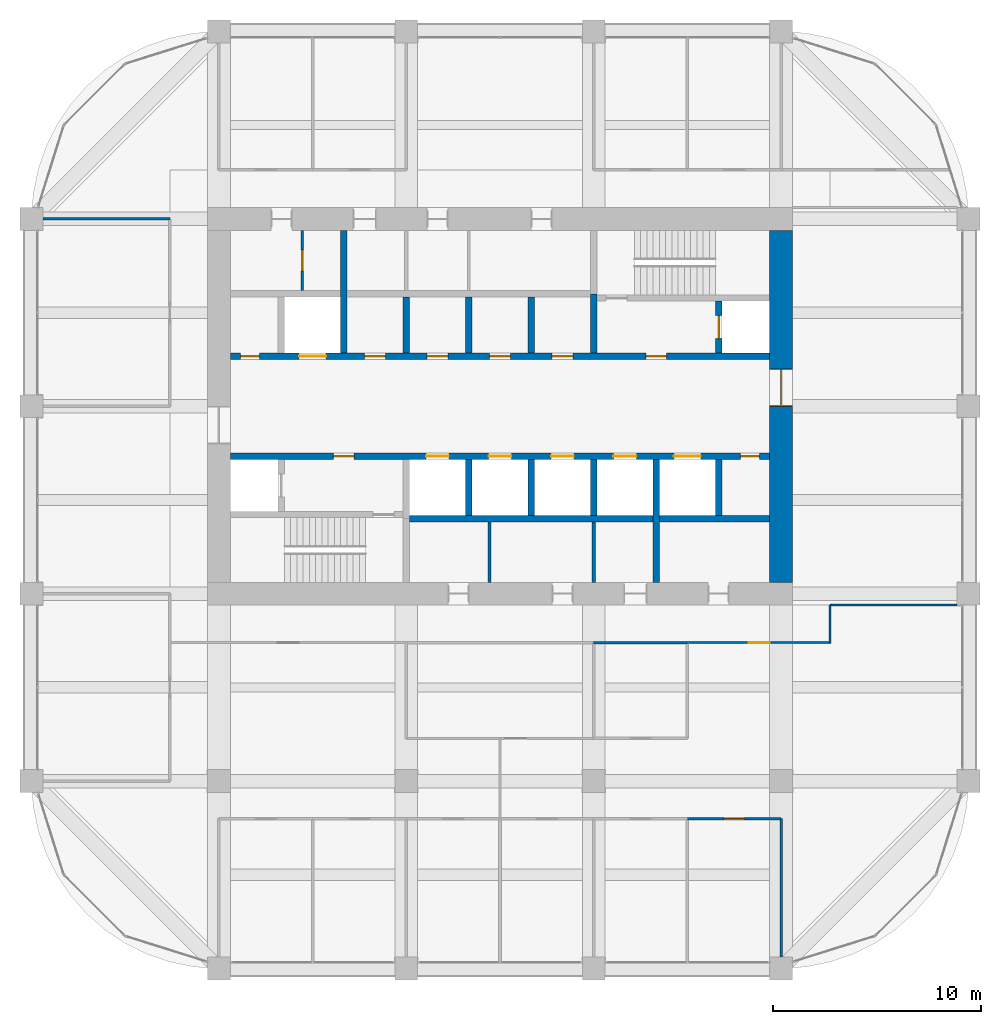
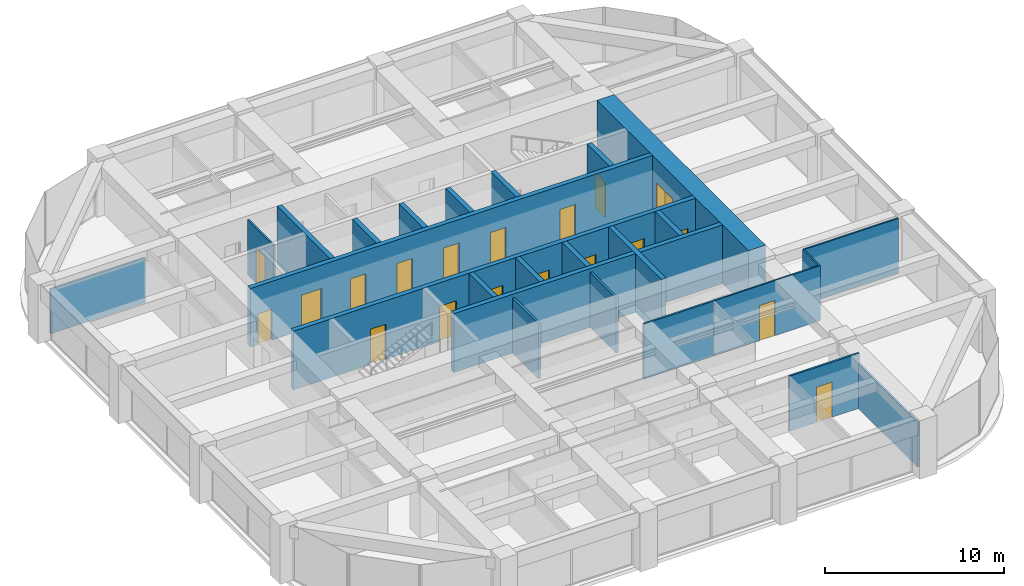
# One storey, part 42 of 44: 25 walls, 19 doors, 19 openings.
"""IFC4 building model written with IfcOpenShell, lengths in metres."""

from ifc_helpers import new_model, si_unit, direction, frame, frame_2d, origin, place, context, subcontext, project, spatial, rectangle, extrude, material, layer, layer_set, type_object, element, fill, save


model = new_model("IFC4")

# Units and contexts
model_context = context("Model", 3, precision=1e-05, world=origin(), true_north=direction((0.0, 1.0)))
body_context = subcontext(model_context, "Body", "Model", "MODEL_VIEW")
ifc_project = project(units=[si_unit("LENGTHUNIT", "METRE"), si_unit("AREAUNIT", "SQUARE_METRE"), si_unit("VOLUMEUNIT", "CUBIC_METRE"), si_unit("PLANEANGLEUNIT", "RADIAN"), si_unit("MASSUNIT", "GRAM", prefix="KILO")], contexts=[model_context])

# Site, building, storey
site_placement = place(None, origin())
site = spatial("IfcSite", under=ifc_project, at=site_placement, CompositionType="ELEMENT")
building_placement = place(site_placement, origin())
building = spatial("IfcBuilding", under=site, at=building_placement, Name="Zorevar Civic Tower", CompositionType="ELEMENT")
storey_placement = place(building_placement, frame((0.0, 0.0, 283.39990234375)))
storey = spatial("IfcBuildingStorey", under=building, at=storey_placement, Name="L69", CompositionType="ELEMENT", Elevation=283.39990234375)

# Wall, opening, door
ifc_material_1 = material(Name="Concrete C50/60", Category="concrete")
ifc_layer_1 = layer(ifc_material_1, 1.10009765625)
ifc_layer_set_1 = layer_set([ifc_layer_1], Name="Core wall 1100")
wall_type_1 = type_object("IfcWallType", Name="Core wall 1100", PredefinedType="SHEAR", material=ifc_layer_set_1)
wall_1_placement = place(storey_placement, frame((45.0, 18.550048828125, 0.0), z_axis=(0.0, 0.0, 1.0), x_axis=(0.0, 1.0, 0.0)))
wall_1 = element("IfcWall", 1, at=wall_1_placement, inside=storey, type_object=wall_type_1, Name="Core wall E L69", PredefinedType="SHEAR", context=body_context, shape_type="SweptSolid", body=[
    extrude(rectangle(XDim=16.89990234375, YDim=1.10009765625, at=frame_2d((8.449951171875, 0.0))), origin(), (0.0, 0.0, 1.0), 4.0),
])
opening_1_placement = place(wall_1_placement, frame((8.449951171875, 0.0, 0.0)))
opening_1 = element("IfcOpeningElement", 2, at=opening_1_placement, cuts=wall_1, Name="Opening L69.02", PredefinedType="OPENING", context=body_context, shape_type="SweptSolid", body=[
    extrude(rectangle(XDim=1.800048828125, YDim=2.39990234375, at=frame_2d((0.89990234375, 1.199951171875))), frame((0.0, 0.56005859375, 0.0), z_axis=(0.0, -1.0, 0.0), x_axis=(1.0, 0.0, 0.0)), (0.0, 0.0, 1.0), 1.1201171875),
])
ifc_material_2 = material(Name="Steel door set", Category="steel")
door_type_1 = type_object("IfcDoorType", Name="Fire door FD2 1800x2400", OperationType="DOUBLE_DOOR_DOUBLE_SWING", PredefinedType="DOOR", material=ifc_material_2)
door_1_placement = place(opening_1_placement, origin())
door_1 = element("IfcDoor", 3, at=door_1_placement, inside=storey, type_object=door_type_1, Name="Door L69 01", OperationType="DOUBLE_DOOR_DOUBLE_SWING", OverallHeight=2.39990234375, OverallWidth=1.800048828125, PredefinedType="DOOR", context=body_context, shape_type="SweptSolid", body=[
    extrude(rectangle(XDim=1.800048828125, YDim=2.39990234375, at=frame_2d((0.89990234375, 1.199951171875))), frame((0.0, 0.030029296875, 0.0), z_axis=(0.0, -1.0, 0.0), x_axis=(1.0, 0.0, 0.0)), (0.0, 0.0, 1.0), 0.06005859375),
    extrude(rectangle(XDim=0.04, YDim=2.39990234375, at=frame_2d((0.02001953125, 1.199951171875))), frame((0.0, 0.5498046875, 0.0), z_axis=(0.0, -1.0, 0.0), x_axis=(1.0, 0.0, 0.0)), (0.0, 0.0, 1.0), 1.099609375),
    extrude(rectangle(XDim=0.04, YDim=2.39990234375, at=frame_2d((1.780029296875, 1.199951171875))), frame((0.0, 0.5498046875, 0.0), z_axis=(0.0, -1.0, 0.0), x_axis=(1.0, 0.0, 0.0)), (0.0, 0.0, 1.0), 1.099609375),
    extrude(rectangle(XDim=1.800048828125, YDim=0.04, at=frame_2d((0.89990234375, 2.3798828125))), frame((0.0, 0.5498046875, 0.0), z_axis=(0.0, -1.0, 0.0), x_axis=(1.0, 0.0, 0.0)), (0.0, 0.0, 1.0), 1.099609375),
])
fill(opening_1, door_1)

ifc_material_3 = material(Name="Laminated glass in black aluminium frame", Category="aluminium")
ifc_layer_2 = layer(ifc_material_3, 0.10009765625)
ifc_layer_set_2 = layer_set([ifc_layer_2], Name="Glazed partition 100")
wall_type_2 = type_object("IfcWallType", Name="Glazed partition 100", PredefinedType="PARTITIONING", material=ifc_layer_set_2)
wall_2_placement = place(storey_placement, frame((40.510009765625, 15.64990234375, 0.0), z_axis=(0.0, 0.0, 1.0), x_axis=(1.0, 0.0, 0.0)))
wall_2 = element("IfcWall", 4, at=wall_2_placement, inside=storey, type_object=wall_type_2, Name="Glazed partition 100 L69", PredefinedType="PARTITIONING", context=body_context, shape_type="SweptSolid", body=[
    extrude(rectangle(XDim=6.889892578125, YDim=0.10009765625, at=frame_2d((3.44482421875, 0.0))), origin(), (0.0, 0.0, 1.0), 3.75),
])
opening_2_placement = place(wall_2_placement, frame((2.945068359375, 0.0, 0.0)))
opening_2 = element("IfcOpeningElement", 5, at=opening_2_placement, cuts=wall_2, Name="Opening L69.25", PredefinedType="OPENING", context=body_context, shape_type="SweptSolid", body=[
    extrude(rectangle(XDim=1.0, YDim=2.39990234375, at=frame_2d((0.5, 1.199951171875))), frame((0.0, 0.06005859375, 0.0), z_axis=(0.0, -1.0, 0.0), x_axis=(1.0, 0.0, 0.0)), (0.0, 0.0, 1.0), 0.1201171875),
])
ifc_material_4 = material(Name="Timber door set", Category="wood")
door_type_2 = type_object("IfcDoorType", Name="Glazed door GD1 1000x2400", OperationType="SINGLE_SWING_LEFT", PredefinedType="DOOR", material=ifc_material_4)
door_2_placement = place(opening_2_placement, origin())
door_2 = element("IfcDoor", 6, at=door_2_placement, inside=storey, type_object=door_type_2, Name="Door L69 D1", OperationType="SINGLE_SWING_LEFT", OverallHeight=2.39990234375, OverallWidth=1.0, PredefinedType="DOOR", context=body_context, shape_type="SweptSolid", body=[
    extrude(rectangle(XDim=1.0, YDim=2.39990234375, at=frame_2d((0.5, 1.199951171875))), frame((0.0, 0.02001953125, 0.0), z_axis=(0.0, -1.0, 0.0), x_axis=(1.0, 0.0, 0.0)), (0.0, 0.0, 1.0), 0.0400390625),
])
fill(opening_2, door_2)

# Walls
wall_3_placement = place(storey_placement, frame((47.35009765625, 17.449951171875, 0.0), z_axis=(0.0, 0.0, 1.0), x_axis=(1.0, 0.0, 0.0)))
element("IfcWall", 7, at=wall_3_placement, inside=storey, type_object=wall_type_2, Name="Glazed partition 100 L69", PredefinedType="PARTITIONING", context=body_context, shape_type="SweptSolid", body=[
    extrude(rectangle(XDim=6.099853515625, YDim=0.10009765625, at=frame_2d((3.0498046875, 0.0))), origin(), (0.0, 0.0, 1.0), 3.75),
])
wall_4_placement = place(storey_placement, frame((47.35009765625, 15.60009765625, 0.0), z_axis=(0.0, 0.0, 1.0), x_axis=(0.0, 1.0, 0.0)))
element("IfcWall", 8, at=wall_4_placement, inside=storey, type_object=wall_type_2, Name="Glazed partition 100 L69", PredefinedType="PARTITIONING", context=body_context, shape_type="SweptSolid", body=[
    extrude(rectangle(XDim=1.849853515625, YDim=0.10009765625, at=frame_2d((0.9248046875, 0.0))), origin(), (0.0, 0.0, 1.0), 3.75),
])

# Wall, opening, door
ifc_material_5 = material(Name="Concrete C40/50", Category="concrete")
ifc_layer_3 = layer(ifc_material_5, 0.300048828125)
ifc_layer_set_3 = layer_set([ifc_layer_3], Name="Inner core wall 300")
wall_type_3 = type_object("IfcWallType", Name="Inner core wall 300", PredefinedType="SHEAR", material=ifc_layer_set_3)
wall_5_placement = place(storey_placement, frame((42.0, 29.550048828125, 0.0), z_axis=(0.0, 0.0, 1.0), x_axis=(0.0, 1.0, 0.0)))
wall_5 = element("IfcWall", 9, at=wall_5_placement, inside=storey, type_object=wall_type_3, Name="Inner core wall N02 L69", PredefinedType="SHEAR", context=body_context, shape_type="SweptSolid", body=[
    extrude(rectangle(XDim=2.5, YDim=0.300048828125, at=frame_2d((1.25, 0.0))), origin(), (0.0, 0.0, 1.0), 4.0),
])
opening_3_placement = place(wall_5_placement, frame((0.699951171875, 0.0, 0.0)))
opening_3 = element("IfcOpeningElement", 10, at=opening_3_placement, cuts=wall_5, Name="Opening L69.FL2", PredefinedType="OPENING", context=body_context, shape_type="SweptSolid", body=[
    extrude(rectangle(XDim=1.10009765625, YDim=2.39990234375, at=frame_2d((0.550048828125, 1.199951171875))), frame((0.0, 0.159912109375, 0.0), z_axis=(0.0, -1.0, 0.0), x_axis=(1.0, 0.0, 0.0)), (0.0, 0.0, 1.0), 0.320068359375),
])
ifc_material_6 = material(Name="Steel door set", Category="steel")
door_type_3 = type_object("IfcDoorType", Name="Firefighting lift landing door LD3 1100x2400", OperationType="DOUBLE_DOOR_SLIDING", PredefinedType="DOOR", material=ifc_material_6)
door_3_placement = place(opening_3_placement, origin())
door_3 = element("IfcDoor", 11, at=door_3_placement, inside=storey, type_object=door_type_3, Name="Landing door FL2 L69", OperationType="DOUBLE_DOOR_SLIDING", OverallHeight=2.39990234375, OverallWidth=1.10009765625, PredefinedType="DOOR", context=body_context, shape_type="SweptSolid", body=[
    extrude(rectangle(XDim=1.10009765625, YDim=2.39990234375, at=frame_2d((0.550048828125, 1.199951171875))), frame((0.0, 0.030029296875, 0.0), z_axis=(0.0, -1.0, 0.0), x_axis=(1.0, 0.0, 0.0)), (0.0, 0.0, 1.0), 0.06005859375),
])
fill(opening_3, door_3)

# Wall, openings, doors
wall_6_placement = place(storey_placement, frame((18.550048828125, 24.60009765625, 0.0), z_axis=(0.0, 0.0, 1.0), x_axis=(1.0, 0.0, 0.0)))
wall_6 = element("IfcWall", 12, at=wall_6_placement, inside=storey, type_object=wall_type_3, Name="Inner core wall S03 L69", PredefinedType="SHEAR", context=body_context, shape_type="SweptSolid", body=[
    extrude(rectangle(XDim=25.89990234375, YDim=0.300048828125, at=frame_2d((12.949951171875, 0.0))), origin(), (0.0, 0.0, 1.0), 4.0),
])
opening_4_placement = place(wall_6_placement, frame((4.949951171875, 0.0, 0.0)))
opening_4 = element("IfcOpeningElement", 13, at=opening_4_placement, cuts=wall_6, Name="Opening L69.13", PredefinedType="OPENING", context=body_context, shape_type="SweptSolid", body=[
    extrude(rectangle(XDim=1.0, YDim=2.39990234375, at=frame_2d((0.5, 1.199951171875))), frame((0.0, 0.159912109375, 0.0), z_axis=(0.0, -1.0, 0.0), x_axis=(1.0, 0.0, 0.0)), (0.0, 0.0, 1.0), 0.320068359375),
])
opening_5_placement = place(wall_6_placement, frame((24.5, 0.0, 0.0)))
opening_5 = element("IfcOpeningElement", 14, at=opening_5_placement, cuts=wall_6, Name="Opening L69.15", PredefinedType="OPENING", context=body_context, shape_type="SweptSolid", body=[
    extrude(rectangle(XDim=0.89990234375, YDim=2.10009765625, at=frame_2d((0.449951171875, 1.050048828125))), frame((0.0, 0.159912109375, 0.0), z_axis=(0.0, -1.0, 0.0), x_axis=(1.0, 0.0, 0.0)), (0.0, 0.0, 1.0), 0.320068359375),
])
opening_6_placement = place(wall_6_placement, frame((9.39990234375, 0.0, 0.0)))
opening_6 = element("IfcOpeningElement", 15, at=opening_6_placement, cuts=wall_6, Name="Opening L69.LT1", PredefinedType="OPENING", context=body_context, shape_type="SweptSolid", body=[
    extrude(rectangle(XDim=1.10009765625, YDim=2.39990234375, at=frame_2d((0.550048828125, 1.199951171875))), frame((0.0, 0.159912109375, 0.0), z_axis=(0.0, -1.0, 0.0), x_axis=(1.0, 0.0, 0.0)), (0.0, 0.0, 1.0), 0.320068359375),
])
opening_7_placement = place(wall_6_placement, frame((12.39990234375, 0.0, 0.0)))
opening_7 = element("IfcOpeningElement", 16, at=opening_7_placement, cuts=wall_6, Name="Opening L69.LT2", PredefinedType="OPENING", context=body_context, shape_type="SweptSolid", body=[
    extrude(rectangle(XDim=1.10009765625, YDim=2.39990234375, at=frame_2d((0.550048828125, 1.199951171875))), frame((0.0, 0.159912109375, 0.0), z_axis=(0.0, -1.0, 0.0), x_axis=(1.0, 0.0, 0.0)), (0.0, 0.0, 1.0), 0.320068359375),
])
opening_8_placement = place(wall_6_placement, frame((15.39990234375, 0.0, 0.0)))
opening_8 = element("IfcOpeningElement", 17, at=opening_8_placement, cuts=wall_6, Name="Opening L69.LT3", PredefinedType="OPENING", context=body_context, shape_type="SweptSolid", body=[
    extrude(rectangle(XDim=1.10009765625, YDim=2.39990234375, at=frame_2d((0.550048828125, 1.199951171875))), frame((0.0, 0.159912109375, 0.0), z_axis=(0.0, -1.0, 0.0), x_axis=(1.0, 0.0, 0.0)), (0.0, 0.0, 1.0), 0.320068359375),
])
opening_9_placement = place(wall_6_placement, frame((18.39990234375, 0.0, 0.0)))
opening_9 = element("IfcOpeningElement", 18, at=opening_9_placement, cuts=wall_6, Name="Opening L69.LT4", PredefinedType="OPENING", context=body_context, shape_type="SweptSolid", body=[
    extrude(rectangle(XDim=1.10009765625, YDim=2.39990234375, at=frame_2d((0.550048828125, 1.199951171875))), frame((0.0, 0.159912109375, 0.0), z_axis=(0.0, -1.0, 0.0), x_axis=(1.0, 0.0, 0.0)), (0.0, 0.0, 1.0), 0.320068359375),
])
opening_10_placement = place(wall_6_placement, frame((21.300048828125, 0.0, 0.0)))
opening_10 = element("IfcOpeningElement", 19, at=opening_10_placement, cuts=wall_6, Name="Opening L69.SL1", PredefinedType="OPENING", context=body_context, shape_type="SweptSolid", body=[
    extrude(rectangle(XDim=1.300048828125, YDim=2.39990234375, at=frame_2d((0.64990234375, 1.199951171875))), frame((0.0, 0.159912109375, 0.0), z_axis=(0.0, -1.0, 0.0), x_axis=(1.0, 0.0, 0.0)), (0.0, 0.0, 1.0), 0.320068359375),
])
ifc_material_7 = material(Name="Steel door set", Category="steel")
door_type_4 = type_object("IfcDoorType", Name="Fire door FD1 1000x2400", OperationType="SINGLE_SWING_LEFT", PredefinedType="DOOR", material=ifc_material_7)
door_4_placement = place(opening_4_placement, origin())
door_4 = element("IfcDoor", 20, at=door_4_placement, inside=storey, type_object=door_type_4, Name="Door L69 12", OperationType="SINGLE_SWING_RIGHT", OverallHeight=2.39990234375, OverallWidth=1.0, PredefinedType="DOOR", context=body_context, shape_type="SweptSolid", body=[
    extrude(rectangle(XDim=1.0, YDim=2.39990234375, at=frame_2d((0.5, 1.199951171875))), frame((0.0, 0.030029296875, 0.0), z_axis=(0.0, -1.0, 0.0), x_axis=(1.0, 0.0, 0.0)), (0.0, 0.0, 1.0), 0.06005859375),
])
fill(opening_4, door_4)
ifc_material_8 = material(Name="Steel door set", Category="steel")
door_type_5 = type_object("IfcDoorType", Name="Landing door LD1 1100x2400", OperationType="DOUBLE_DOOR_SLIDING", PredefinedType="DOOR", material=ifc_material_8)
door_5_placement = place(opening_6_placement, origin())
door_5 = element("IfcDoor", 21, at=door_5_placement, inside=storey, type_object=door_type_5, Name="Landing door LT1 L69", OperationType="DOUBLE_DOOR_SLIDING", OverallHeight=2.39990234375, OverallWidth=1.10009765625, PredefinedType="DOOR", context=body_context, shape_type="SweptSolid", body=[
    extrude(rectangle(XDim=1.10009765625, YDim=2.39990234375, at=frame_2d((0.550048828125, 1.199951171875))), frame((0.0, 0.02001953125, 0.0), z_axis=(0.0, -1.0, 0.0), x_axis=(1.0, 0.0, 0.0)), (0.0, 0.0, 1.0), 0.0400390625),
])
fill(opening_6, door_5)
door_6_placement = place(opening_7_placement, origin())
door_6 = element("IfcDoor", 22, at=door_6_placement, inside=storey, type_object=door_type_5, Name="Landing door LT2 L69", OperationType="DOUBLE_DOOR_SLIDING", OverallHeight=2.39990234375, OverallWidth=1.10009765625, PredefinedType="DOOR", context=body_context, shape_type="SweptSolid", body=[
    extrude(rectangle(XDim=1.10009765625, YDim=2.39990234375, at=frame_2d((0.550048828125, 1.199951171875))), frame((0.0, 0.02001953125, 0.0), z_axis=(0.0, -1.0, 0.0), x_axis=(1.0, 0.0, 0.0)), (0.0, 0.0, 1.0), 0.0400390625),
])
fill(opening_7, door_6)
door_7_placement = place(opening_8_placement, origin())
door_7 = element("IfcDoor", 23, at=door_7_placement, inside=storey, type_object=door_type_5, Name="Landing door LT3 L69", OperationType="DOUBLE_DOOR_SLIDING", OverallHeight=2.39990234375, OverallWidth=1.10009765625, PredefinedType="DOOR", context=body_context, shape_type="SweptSolid", body=[
    extrude(rectangle(XDim=1.10009765625, YDim=2.39990234375, at=frame_2d((0.550048828125, 1.199951171875))), frame((0.0, 0.02001953125, 0.0), z_axis=(0.0, -1.0, 0.0), x_axis=(1.0, 0.0, 0.0)), (0.0, 0.0, 1.0), 0.0400390625),
])
fill(opening_8, door_7)
door_8_placement = place(opening_9_placement, origin())
door_8 = element("IfcDoor", 24, at=door_8_placement, inside=storey, type_object=door_type_5, Name="Landing door LT4 L69", OperationType="DOUBLE_DOOR_SLIDING", OverallHeight=2.39990234375, OverallWidth=1.10009765625, PredefinedType="DOOR", context=body_context, shape_type="SweptSolid", body=[
    extrude(rectangle(XDim=1.10009765625, YDim=2.39990234375, at=frame_2d((0.550048828125, 1.199951171875))), frame((0.0, 0.02001953125, 0.0), z_axis=(0.0, -1.0, 0.0), x_axis=(1.0, 0.0, 0.0)), (0.0, 0.0, 1.0), 0.0400390625),
])
fill(opening_9, door_8)
ifc_material_9 = material(Name="Steel door set", Category="steel")
door_type_6 = type_object("IfcDoorType", Name="Landing door LD2 1300x2400", OperationType="DOUBLE_DOOR_SLIDING", PredefinedType="DOOR", material=ifc_material_9)
door_9_placement = place(opening_10_placement, origin())
door_9 = element("IfcDoor", 25, at=door_9_placement, inside=storey, type_object=door_type_6, Name="Landing door SL1 L69", OperationType="DOUBLE_DOOR_SLIDING", OverallHeight=2.39990234375, OverallWidth=1.300048828125, PredefinedType="DOOR", context=body_context, shape_type="SweptSolid", body=[
    extrude(rectangle(XDim=1.300048828125, YDim=2.39990234375, at=frame_2d((0.64990234375, 1.199951171875))), frame((0.0, 0.02001953125, 0.0), z_axis=(0.0, -1.0, 0.0), x_axis=(1.0, 0.0, 0.0)), (0.0, 0.0, 1.0), 0.0400390625),
])
fill(opening_10, door_9)
ifc_material_10 = material(Name="Steel door set", Category="steel")
door_type_7 = type_object("IfcDoorType", Name="Riser door RD1 900x2100", OperationType="SINGLE_SWING_LEFT", PredefinedType="DOOR", material=ifc_material_10)
door_10_placement = place(opening_5_placement, origin())
door_10 = element("IfcDoor", 26, at=door_10_placement, inside=storey, type_object=door_type_7, Name="Door L69 14", OperationType="SINGLE_SWING_RIGHT", OverallHeight=2.10009765625, OverallWidth=0.89990234375, PredefinedType="DOOR", context=body_context, shape_type="SweptSolid", body=[
    extrude(rectangle(XDim=0.89990234375, YDim=2.10009765625, at=frame_2d((0.449951171875, 1.050048828125))), frame((0.0, 0.030029296875, 0.0), z_axis=(0.0, -1.0, 0.0), x_axis=(1.0, 0.0, 0.0)), (0.0, 0.0, 1.0), 0.06005859375),
])
fill(opening_5, door_10)

wall_7_placement = place(storey_placement, frame((18.550048828125, 29.39990234375, 0.0), z_axis=(0.0, 0.0, 1.0), x_axis=(1.0, 0.0, 0.0)))
wall_7 = element("IfcWall", 27, at=wall_7_placement, inside=storey, type_object=wall_type_3, Name="Inner core wall N03 L69", PredefinedType="SHEAR", context=body_context, shape_type="SweptSolid", body=[
    extrude(rectangle(XDim=25.89990234375, YDim=0.300048828125, at=frame_2d((12.949951171875, 0.0))), origin(), (0.0, 0.0, 1.0), 4.0),
])
opening_11_placement = place(wall_7_placement, frame((19.949951171875, 0.0, 0.0)))
opening_11 = element("IfcOpeningElement", 28, at=opening_11_placement, cuts=wall_7, Name="Opening L69.14", PredefinedType="OPENING", context=body_context, shape_type="SweptSolid", body=[
    extrude(rectangle(XDim=1.0, YDim=2.39990234375, at=frame_2d((0.5, 1.199951171875))), frame((0.0, 0.159912109375, 0.0), z_axis=(0.0, -1.0, 0.0), x_axis=(1.0, 0.0, 0.0)), (0.0, 0.0, 1.0), 0.320068359375),
])
opening_12_placement = place(wall_7_placement, frame((0.5, 0.0, 0.0)))
opening_12 = element("IfcOpeningElement", 29, at=opening_12_placement, cuts=wall_7, Name="Opening L69.16", PredefinedType="OPENING", context=body_context, shape_type="SweptSolid", body=[
    extrude(rectangle(XDim=0.89990234375, YDim=2.10009765625, at=frame_2d((0.449951171875, 1.050048828125))), frame((0.0, 0.159912109375, 0.0), z_axis=(0.0, -1.0, 0.0), x_axis=(1.0, 0.0, 0.0)), (0.0, 0.0, 1.0), 0.320068359375),
])
opening_13_placement = place(wall_7_placement, frame((15.449951171875, 0.0, 0.0)))
opening_13 = element("IfcOpeningElement", 30, at=opening_13_placement, cuts=wall_7, Name="Opening L69.35", PredefinedType="OPENING", context=body_context, shape_type="SweptSolid", body=[
    extrude(rectangle(XDim=1.0, YDim=2.39990234375, at=frame_2d((0.5, 1.199951171875))), frame((0.0, 0.159912109375, 0.0), z_axis=(0.0, -1.0, 0.0), x_axis=(1.0, 0.0, 0.0)), (0.0, 0.0, 1.0), 0.320068359375),
])
opening_14_placement = place(wall_7_placement, frame((12.449951171875, 0.0, 0.0)))
opening_14 = element("IfcOpeningElement", 31, at=opening_14_placement, cuts=wall_7, Name="Opening L69.36", PredefinedType="OPENING", context=body_context, shape_type="SweptSolid", body=[
    extrude(rectangle(XDim=1.0, YDim=2.39990234375, at=frame_2d((0.5, 1.199951171875))), frame((0.0, 0.159912109375, 0.0), z_axis=(0.0, -1.0, 0.0), x_axis=(1.0, 0.0, 0.0)), (0.0, 0.0, 1.0), 0.320068359375),
])
opening_15_placement = place(wall_7_placement, frame((9.449951171875, 0.0, 0.0)))
opening_15 = element("IfcOpeningElement", 32, at=opening_15_placement, cuts=wall_7, Name="Opening L69.37", PredefinedType="OPENING", context=body_context, shape_type="SweptSolid", body=[
    extrude(rectangle(XDim=1.0, YDim=2.39990234375, at=frame_2d((0.5, 1.199951171875))), frame((0.0, 0.159912109375, 0.0), z_axis=(0.0, -1.0, 0.0), x_axis=(1.0, 0.0, 0.0)), (0.0, 0.0, 1.0), 0.320068359375),
])
opening_16_placement = place(wall_7_placement, frame((6.449951171875, 0.0, 0.0)))
opening_16 = element("IfcOpeningElement", 33, at=opening_16_placement, cuts=wall_7, Name="Opening L69.38", PredefinedType="OPENING", context=body_context, shape_type="SweptSolid", body=[
    extrude(rectangle(XDim=1.0, YDim=2.39990234375, at=frame_2d((0.5, 1.199951171875))), frame((0.0, 0.159912109375, 0.0), z_axis=(0.0, -1.0, 0.0), x_axis=(1.0, 0.0, 0.0)), (0.0, 0.0, 1.0), 0.320068359375),
])
opening_17_placement = place(wall_7_placement, frame((3.300048828125, 0.0, 0.0)))
opening_17 = element("IfcOpeningElement", 34, at=opening_17_placement, cuts=wall_7, Name="Opening L69.SL2", PredefinedType="OPENING", context=body_context, shape_type="SweptSolid", body=[
    extrude(rectangle(XDim=1.300048828125, YDim=2.39990234375, at=frame_2d((0.64990234375, 1.199951171875))), frame((0.0, 0.159912109375, 0.0), z_axis=(0.0, -1.0, 0.0), x_axis=(1.0, 0.0, 0.0)), (0.0, 0.0, 1.0), 0.320068359375),
])
door_11_placement = place(opening_11_placement, origin())
door_11 = element("IfcDoor", 35, at=door_11_placement, inside=storey, type_object=door_type_4, Name="Door L69 13", OperationType="SINGLE_SWING_RIGHT", OverallHeight=2.39990234375, OverallWidth=1.0, PredefinedType="DOOR", context=body_context, shape_type="SweptSolid", body=[
    extrude(rectangle(XDim=1.0, YDim=2.39990234375, at=frame_2d((0.5, 1.199951171875))), frame((0.0, 0.030029296875, 0.0), z_axis=(0.0, -1.0, 0.0), x_axis=(1.0, 0.0, 0.0)), (0.0, 0.0, 1.0), 0.06005859375),
])
fill(opening_11, door_11)
door_12_placement = place(opening_13_placement, origin())
door_12 = element("IfcDoor", 36, at=door_12_placement, inside=storey, type_object=door_type_4, Name="Door L69 LM1 shaft room", OperationType="SINGLE_SWING_LEFT", OverallHeight=2.39990234375, OverallWidth=1.0, PredefinedType="DOOR", context=body_context, shape_type="SweptSolid", body=[
    extrude(rectangle(XDim=1.0, YDim=2.39990234375, at=frame_2d((0.5, 1.199951171875))), frame((0.0, 0.030029296875, 0.0), z_axis=(0.0, -1.0, 0.0), x_axis=(1.0, 0.0, 0.0)), (0.0, 0.0, 1.0), 0.06005859375),
])
fill(opening_13, door_12)
door_13_placement = place(opening_14_placement, origin())
door_13 = element("IfcDoor", 37, at=door_13_placement, inside=storey, type_object=door_type_4, Name="Door L69 LM2 shaft room", OperationType="SINGLE_SWING_RIGHT", OverallHeight=2.39990234375, OverallWidth=1.0, PredefinedType="DOOR", context=body_context, shape_type="SweptSolid", body=[
    extrude(rectangle(XDim=1.0, YDim=2.39990234375, at=frame_2d((0.5, 1.199951171875))), frame((0.0, 0.030029296875, 0.0), z_axis=(0.0, -1.0, 0.0), x_axis=(1.0, 0.0, 0.0)), (0.0, 0.0, 1.0), 0.06005859375),
])
fill(opening_14, door_13)
door_14_placement = place(opening_15_placement, origin())
door_14 = element("IfcDoor", 38, at=door_14_placement, inside=storey, type_object=door_type_4, Name="Door L69 LH1 shaft room", OperationType="SINGLE_SWING_RIGHT", OverallHeight=2.39990234375, OverallWidth=1.0, PredefinedType="DOOR", context=body_context, shape_type="SweptSolid", body=[
    extrude(rectangle(XDim=1.0, YDim=2.39990234375, at=frame_2d((0.5, 1.199951171875))), frame((0.0, 0.030029296875, 0.0), z_axis=(0.0, -1.0, 0.0), x_axis=(1.0, 0.0, 0.0)), (0.0, 0.0, 1.0), 0.06005859375),
])
fill(opening_15, door_14)
door_15_placement = place(opening_16_placement, origin())
door_15 = element("IfcDoor", 39, at=door_15_placement, inside=storey, type_object=door_type_4, Name="Door L69 LH2 shaft room", OperationType="SINGLE_SWING_RIGHT", OverallHeight=2.39990234375, OverallWidth=1.0, PredefinedType="DOOR", context=body_context, shape_type="SweptSolid", body=[
    extrude(rectangle(XDim=1.0, YDim=2.39990234375, at=frame_2d((0.5, 1.199951171875))), frame((0.0, 0.030029296875, 0.0), z_axis=(0.0, -1.0, 0.0), x_axis=(1.0, 0.0, 0.0)), (0.0, 0.0, 1.0), 0.06005859375),
])
fill(opening_16, door_15)
door_16_placement = place(opening_17_placement, origin())
door_16 = element("IfcDoor", 40, at=door_16_placement, inside=storey, type_object=door_type_6, Name="Landing door SL2 L69", OperationType="DOUBLE_DOOR_SLIDING", OverallHeight=2.39990234375, OverallWidth=1.300048828125, PredefinedType="DOOR", context=body_context, shape_type="SweptSolid", body=[
    extrude(rectangle(XDim=1.300048828125, YDim=2.39990234375, at=frame_2d((0.64990234375, 1.199951171875))), frame((0.0, 0.02001953125, 0.0), z_axis=(0.0, -1.0, 0.0), x_axis=(1.0, 0.0, 0.0)), (0.0, 0.0, 1.0), 0.0400390625),
])
fill(opening_17, door_16)
door_17_placement = place(opening_12_placement, origin())
door_17 = element("IfcDoor", 41, at=door_17_placement, inside=storey, type_object=door_type_7, Name="Door L69 15", OperationType="SINGLE_SWING_RIGHT", OverallHeight=2.10009765625, OverallWidth=0.89990234375, PredefinedType="DOOR", context=body_context, shape_type="SweptSolid", body=[
    extrude(rectangle(XDim=0.89990234375, YDim=2.10009765625, at=frame_2d((0.449951171875, 1.050048828125))), frame((0.0, 0.030029296875, 0.0), z_axis=(0.0, -1.0, 0.0), x_axis=(1.0, 0.0, 0.0)), (0.0, 0.0, 1.0), 0.06005859375),
])
fill(opening_12, door_17)

# Walls
wall_8_placement = place(storey_placement, frame((27.14990234375, 21.60009765625, 0.0), z_axis=(0.0, 0.0, 1.0), x_axis=(1.0, 0.0, 0.0)))
element("IfcWall", 42, at=wall_8_placement, inside=storey, type_object=wall_type_3, Name="Inner core wall S04 L69", PredefinedType="SHEAR", context=body_context, shape_type="SweptSolid", body=[
    extrude(rectangle(XDim=17.300048828125, YDim=0.300048828125, at=frame_2d((8.64990234375, 0.0))), origin(), (0.0, 0.0, 1.0), 4.0),
])
for number, where, z_axis, x_axis, name in (
    (43, (30.0, 21.75, 0.0), (0.0, 0.0, 1.0), (0.0, 1.0, 0.0), "Inner core wall S05 L69"),
    (44, (33.0, 29.550048828125, 0.0), (0.0, 0.0, 1.0), (0.0, 1.0, 0.0), "Inner core wall N05 L69"),
    (45, (33.0, 21.75, 0.0), (0.0, 0.0, 1.0), (0.0, 1.0, 0.0), "Inner core wall S06 L69"),
    (46, (30.0, 29.550048828125, 0.0), (0.0, 0.0, 1.0), (0.0, 1.0, 0.0), "Inner core wall N06 L69"),
    (47, (36.0, 21.75, 0.0), (0.0, 0.0, 1.0), (0.0, 1.0, 0.0), "Inner core wall S07 L69"),
    (48, (27.0, 29.550048828125, 0.0), (0.0, 0.0, 1.0), (0.0, 1.0, 0.0), "Inner core wall N07 L69"),
):
    element("IfcWall", number, at=place(storey_placement, frame(where, z_axis=z_axis, x_axis=x_axis)), inside=storey, type_object=wall_type_3, Name=name, PredefinedType="SHEAR", context=body_context, shape_type="SweptSolid", body=[
        extrude(rectangle(XDim=2.699951171875, YDim=0.300048828125, at=frame_2d((1.35009765625, 0.0))), origin(), (0.0, 0.0, 1.0), 4.0),
    ])
for number, where, z_axis, x_axis, name in (
    (49, (39.0, 18.550048828125, 0.0), (0.0, 0.0, 1.0), (0.0, 1.0, 0.0), "Inner core wall S08 L69"),
    (50, (24.0, 29.550048828125, 0.0), (0.0, 0.0, 1.0), (0.0, 1.0, 0.0), "Inner core wall N08 L69"),
):
    element("IfcWall", number, at=place(storey_placement, frame(where, z_axis=z_axis, x_axis=x_axis)), inside=storey, type_object=wall_type_3, Name=name, PredefinedType="SHEAR", context=body_context, shape_type="SweptSolid", body=[
        extrude(rectangle(XDim=5.89990234375, YDim=0.300048828125, at=frame_2d((2.949951171875, 0.0))), origin(), (0.0, 0.0, 1.0), 4.0),
    ])
wall_9_placement = place(storey_placement, frame((42.0, 21.75, 0.0), z_axis=(0.0, 0.0, 1.0), x_axis=(0.0, 1.0, 0.0)))
element("IfcWall", 51, at=wall_9_placement, inside=storey, type_object=wall_type_3, Name="Inner core wall S09 L69", PredefinedType="SHEAR", context=body_context, shape_type="SweptSolid", body=[
    extrude(rectangle(XDim=2.699951171875, YDim=0.300048828125, at=frame_2d((1.35009765625, 0.0))), origin(), (0.0, 0.0, 1.0), 4.0),
])
wall_10_placement = place(storey_placement, frame((36.0, 29.550048828125, 0.0), z_axis=(0.0, 0.0, 1.0), x_axis=(0.0, 1.0, 0.0)))
element("IfcWall", 52, at=wall_10_placement, inside=storey, type_object=wall_type_3, Name="Inner core wall N10 L69", PredefinedType="SHEAR", context=body_context, shape_type="SweptSolid", body=[
    extrude(rectangle(XDim=2.849853515625, YDim=0.300048828125, at=frame_2d((1.4248046875, 0.0))), origin(), (0.0, 0.0, 1.0), 4.0),
])

# Wall, opening, door
ifc_material_11 = material(Name="Gypsum board on steel studs", Category="steel")
ifc_layer_4 = layer(ifc_material_11, 0.1201171875)
ifc_layer_set_4 = layer_set([ifc_layer_4], Name="Partition 120")
wall_type_4 = type_object("IfcWallType", Name="Partition 120", PredefinedType="PARTITIONING", material=ifc_layer_set_4)
wall_11_placement = place(storey_placement, frame((40.5, 7.199951171875, 0.0), z_axis=(0.0, 0.0, 1.0), x_axis=(1.0, 0.0, 0.0)))
wall_11 = element("IfcWall", 53, at=wall_11_placement, inside=storey, type_object=wall_type_4, Name="Partition 120 L69", PredefinedType="PARTITIONING", context=body_context, shape_type="SweptSolid", body=[
    extrude(rectangle(XDim=4.5, YDim=0.1201171875, at=frame_2d((2.25, 0.0))), origin(), (0.0, 0.0, 1.0), 3.75),
])
opening_18_placement = place(wall_11_placement, frame((1.75, 0.0, 0.0)))
opening_18 = element("IfcOpeningElement", 54, at=opening_18_placement, cuts=wall_11, Name="Opening L69.22", PredefinedType="OPENING", context=body_context, shape_type="SweptSolid", body=[
    extrude(rectangle(XDim=1.0, YDim=2.39990234375, at=frame_2d((0.5, 1.199951171875))), frame((0.0, 0.070068359375, 0.0), z_axis=(0.0, -1.0, 0.0), x_axis=(1.0, 0.0, 0.0)), (0.0, 0.0, 1.0), 0.14013671875),
])
ifc_material_12 = material(Name="Timber door set", Category="wood")
door_type_8 = type_object("IfcDoorType", Name="Door D1 1000x2400", OperationType="SINGLE_SWING_LEFT", PredefinedType="DOOR", material=ifc_material_12)
door_18_placement = place(opening_18_placement, origin())
door_18 = element("IfcDoor", 55, at=door_18_placement, inside=storey, type_object=door_type_8, Name="Door L69 D1", OperationType="SINGLE_SWING_LEFT", OverallHeight=2.39990234375, OverallWidth=1.0, PredefinedType="DOOR", context=body_context, shape_type="SweptSolid", body=[
    extrude(rectangle(XDim=1.0, YDim=2.39990234375, at=frame_2d((0.5, 1.199951171875))), frame((0.0, 0.02490234375, 0.0), z_axis=(0.0, -1.0, 0.0), x_axis=(1.0, 0.0, 0.0)), (0.0, 0.0, 1.0), 0.050048828125),
])
fill(opening_18, door_18)

# Walls
wall_12_placement = place(storey_placement, frame((36.0, 15.64990234375, 0.0), z_axis=(0.0, 0.0, 1.0), x_axis=(1.0, 0.0, 0.0)))
element("IfcWall", 56, at=wall_12_placement, inside=storey, type_object=wall_type_4, Name="Partition 120 L69", PredefinedType="PARTITIONING", context=body_context, shape_type="SweptSolid", body=[
    extrude(rectangle(XDim=4.5, YDim=0.1201171875, at=frame_2d((2.25, 0.0))), origin(), (0.0, 0.0, 1.0), 3.75),
])
wall_13_placement = place(storey_placement, frame((9.550048828125, 36.0, 0.0), z_axis=(0.0, 0.0, 1.0), x_axis=(1.0, 0.0, 0.0)))
element("IfcWall", 57, at=wall_13_placement, inside=storey, type_object=wall_type_4, Name="Partition 120 L69", PredefinedType="PARTITIONING", context=body_context, shape_type="SweptSolid", body=[
    extrude(rectangle(XDim=6.099853515625, YDim=0.1201171875, at=frame_2d((3.0498046875, 0.0))), origin(), (0.0, 0.0, 1.0), 3.050048828125),
])
wall_14_placement = place(storey_placement, frame((45.0, 0.550048828125, 0.0), z_axis=(0.0, 0.0, 1.0), x_axis=(0.0, 1.0, 0.0)))
element("IfcWall", 58, at=wall_14_placement, inside=storey, type_object=wall_type_4, Name="Partition 120 L69", PredefinedType="PARTITIONING", context=body_context, shape_type="SweptSolid", body=[
    extrude(rectangle(XDim=6.64990234375, YDim=0.1201171875, at=frame_2d((3.324951171875, 0.0))), origin(), (0.0, 0.0, 1.0), 3.050048828125),
])

# Wall, opening, door
wall_15_placement = place(storey_placement, frame((22.0, 32.550048828125, 0.0), z_axis=(0.0, 0.0, 1.0), x_axis=(0.0, 1.0, 0.0)))
wall_15 = element("IfcWall", 59, at=wall_15_placement, inside=storey, type_object=wall_type_4, Name="Partition L69", PredefinedType="PARTITIONING", context=body_context, shape_type="SweptSolid", body=[
    extrude(rectangle(XDim=2.89990234375, YDim=0.1201171875, at=frame_2d((1.449951171875, 0.0))), origin(), (0.0, 0.0, 1.0), 3.75),
])
opening_19_placement = place(wall_15_placement, frame((0.949951171875, 0.0, 0.0)))
opening_19 = element("IfcOpeningElement", 60, at=opening_19_placement, cuts=wall_15, Name="Opening L69.34", PredefinedType="OPENING", context=body_context, shape_type="SweptSolid", body=[
    extrude(rectangle(XDim=1.0, YDim=2.39990234375, at=frame_2d((0.5, 1.199951171875))), frame((0.0, 0.070068359375, 0.0), z_axis=(0.0, -1.0, 0.0), x_axis=(1.0, 0.0, 0.0)), (0.0, 0.0, 1.0), 0.14013671875),
])
door_19_placement = place(opening_19_placement, origin())
door_19 = element("IfcDoor", 61, at=door_19_placement, inside=storey, type_object=door_type_4, Name="Door L69 EN", OperationType="SINGLE_SWING_RIGHT", OverallHeight=2.39990234375, OverallWidth=1.0, PredefinedType="DOOR", context=body_context, shape_type="SweptSolid", body=[
    extrude(rectangle(XDim=1.0, YDim=2.39990234375, at=frame_2d((0.5, 1.199951171875))), frame((0.0, 0.030029296875, 0.0), z_axis=(0.0, -1.0, 0.0), x_axis=(1.0, 0.0, 0.0)), (0.0, 0.0, 1.0), 0.06005859375),
])
fill(opening_19, door_19)

# Walls
ifc_material_13 = material(Name="Gypsum board on steel studs, moisture resistant", Category="steel")
ifc_layer_5 = layer(ifc_material_13, 0.14990234375)
ifc_layer_set_5 = layer_set([ifc_layer_5], Name="WC partition 150")
wall_type_5 = type_object("IfcWallType", Name="WC partition 150", PredefinedType="PARTITIONING", material=ifc_layer_set_5)
for number, where, z_axis, x_axis, name in (
    (62, (31.0, 18.550048828125, 0.0), (0.0, 0.0, 1.0), (0.0, 1.0, 0.0), "WC partition L69"),
    (63, (36.0, 18.550048828125, 0.0), (0.0, 0.0, 1.0), (0.0, 1.0, 0.0), "WC partition L69"),
):
    element("IfcWall", number, at=place(storey_placement, frame(where, z_axis=z_axis, x_axis=x_axis)), inside=storey, type_object=wall_type_5, Name=name, PredefinedType="PARTITIONING", context=body_context, shape_type="SweptSolid", body=[
        extrude(rectangle(XDim=2.89990234375, YDim=0.14990234375, at=frame_2d((1.449951171875, 0.0))), origin(), (0.0, 0.0, 1.0), 3.75),
    ])

save(model, "model.ifc")
